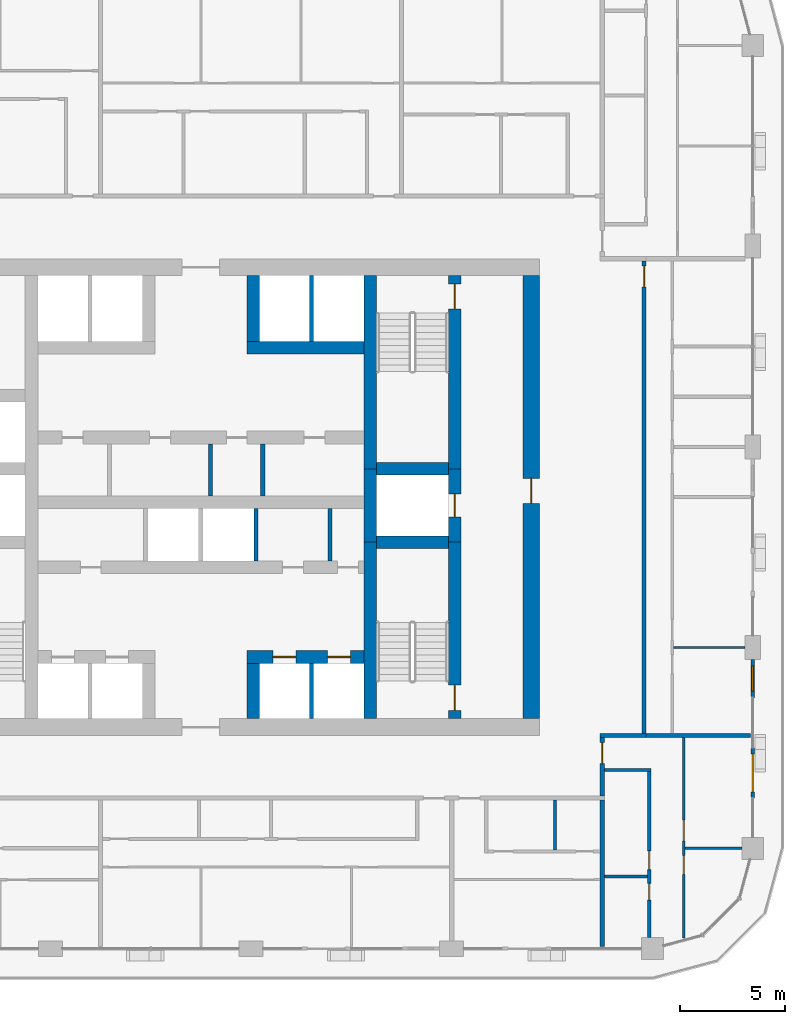
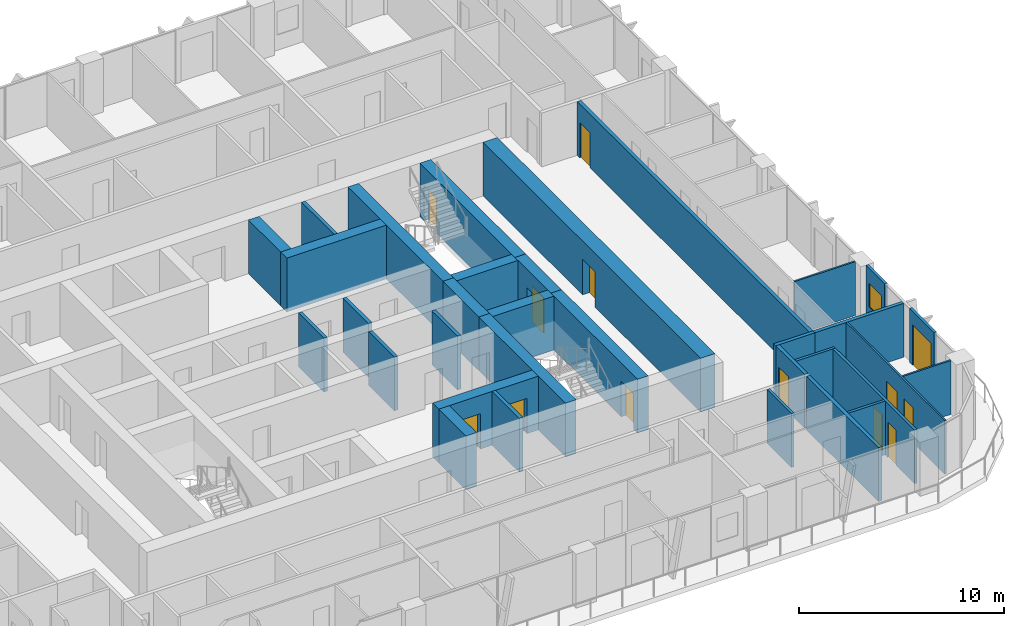
# One storey, part 12 of 22: 33 walls, 13 doors, 1 window, 14 openings.
"""IFC4 building model written with IfcOpenShell, lengths in metres."""

from ifc_helpers import new_model, si_unit, direction, frame, frame_2d, origin, place, context, subcontext, project, spatial, rectangle, extrude, material, layer, layer_set, type_object, element, fill, save


model = new_model("IFC4")

# Units and contexts
model_context = context("Model", 3, precision=1e-05, world=origin(), true_north=direction((0.0, 1.0)))
body_context = subcontext(model_context, "Body", "Model", "MODEL_VIEW")
ifc_project = project(units=[si_unit("LENGTHUNIT", "METRE"), si_unit("AREAUNIT", "SQUARE_METRE"), si_unit("VOLUMEUNIT", "CUBIC_METRE"), si_unit("PLANEANGLEUNIT", "RADIAN"), si_unit("MASSUNIT", "GRAM", prefix="KILO")], contexts=[model_context])

# Site, building, storey
site_placement = place(None, origin())
site = spatial("IfcSite", under=ifc_project, at=site_placement, CompositionType="ELEMENT")
building_placement = place(site_placement, origin())
building = spatial("IfcBuilding", under=site, at=building_placement, Name="Madar Terraces", CompositionType="ELEMENT")
storey_placement = place(building_placement, frame((0.0, 0.0, 126.10009765625)))
storey = spatial("IfcBuildingStorey", under=building, at=storey_placement, Name="L32", CompositionType="ELEMENT", Elevation=126.10009765625)

# Walls
ifc_material_1 = material(Name="Concrete C70/85", Category="concrete")
ifc_layer_1 = layer(ifc_material_1, 0.60009765625)
ifc_layer_set_1 = layer_set([ifc_layer_1], Name="Concrete C70/85 (CIW3 RC wall 600)")
wall_type_1 = type_object("IfcWallType", Name="CIW3 RC wall 600", PredefinedType="SHEAR", material=ifc_layer_set_1)
wall_1_placement = place(storey_placement, frame((39.300048828125, 15.800048828125, 0.0), z_axis=(0.0, 0.0, 1.0), x_axis=(0.0, 1.0, 0.0)))
element("IfcWall", 1, at=wall_1_placement, inside=storey, type_object=wall_type_1, Name="CORE SHAFT WALL", PredefinedType="SHEAR", context=body_context, shape_type="SweptSolid", body=[
    extrude(rectangle(XDim=8.449951171875, YDim=0.60009765625, at=frame_2d((4.22509765625, 0.0))), origin(), (0.0, 0.0, 1.0), 3.199951171875),
])
wall_2_placement = place(storey_placement, frame((39.300048828125, 24.25, 0.0), z_axis=(0.0, 0.0, 1.0), x_axis=(0.0, 1.0, 0.0)))
element("IfcWall", 2, at=wall_2_placement, inside=storey, type_object=wall_type_1, Name="CORE SHAFT WALL", PredefinedType="SHEAR", context=body_context, shape_type="SweptSolid", body=[
    extrude(rectangle(XDim=3.5, YDim=0.60009765625, at=frame_2d((1.75, 0.0))), origin(), (0.0, 0.0, 1.0), 3.199951171875),
])
wall_3_placement = place(storey_placement, frame((39.300048828125, 27.75, 0.0), z_axis=(0.0, 0.0, 1.0), x_axis=(0.0, 1.0, 0.0)))
element("IfcWall", 3, at=wall_3_placement, inside=storey, type_object=wall_type_1, Name="CORE SHAFT WALL", PredefinedType="SHEAR", context=body_context, shape_type="SweptSolid", body=[
    extrude(rectangle(XDim=9.25, YDim=0.60009765625, at=frame_2d((4.625, 0.0))), origin(), (0.0, 0.0, 1.0), 3.199951171875),
])

# Wall, opening, door
wall_4_placement = place(storey_placement, frame((43.35009765625, 15.800048828125, 0.0), z_axis=(0.0, 0.0, 1.0), x_axis=(0.0, 1.0, 0.0)))
wall_4 = element("IfcWall", 4, at=wall_4_placement, inside=storey, type_object=wall_type_1, Name="CORE SHAFT WALL", PredefinedType="SHEAR", context=body_context, shape_type="SweptSolid", body=[
    extrude(rectangle(XDim=8.449951171875, YDim=0.60009765625, at=frame_2d((4.22509765625, 0.0))), origin(), (0.0, 0.0, 1.0), 3.199951171875),
])
opening_1_placement = place(wall_4_placement, frame((0.39990234375, 0.0, 0.0)))
opening_1 = element("IfcOpeningElement", 5, at=opening_1_placement, cuts=wall_4, Name="Opening SD1", PredefinedType="OPENING", context=body_context, shape_type="SweptSolid", body=[
    extrude(rectangle(XDim=1.199951171875, YDim=2.10009765625, at=frame_2d((0.60009765625, 1.050048828125))), frame((0.0, 0.31005859375, 0.0), z_axis=(0.0, -1.0, 0.0), x_axis=(1.0, 0.0, 0.0)), (0.0, 0.0, 1.0), 0.6201171875),
])
ifc_material_2 = material(Name="Steel door leaf", Category="steel")
door_type_1 = type_object("IfcDoorType", Name="Stair door 1200 x 2100", OperationType="NOTDEFINED", PredefinedType="DOOR", material=ifc_material_2)
door_1_placement = place(opening_1_placement, origin())
door_1 = element("IfcDoor", 6, at=door_1_placement, inside=storey, type_object=door_type_1, Name="STAIR DOOR", OperationType="SINGLE_SWING_LEFT", OverallHeight=2.10009765625, OverallWidth=1.199951171875, PredefinedType="DOOR", context=body_context, shape_type="SweptSolid", body=[
    extrude(rectangle(XDim=1.199951171875, YDim=2.10009765625, at=frame_2d((0.60009765625, 1.050048828125))), frame((0.0, 0.02490234375, 0.0), z_axis=(0.0, -1.0, 0.0), x_axis=(1.0, 0.0, 0.0)), (0.0, 0.0, 1.0), 0.050048828125),
])
fill(opening_1, door_1)

wall_5_placement = place(storey_placement, frame((43.35009765625, 24.25, 0.0), z_axis=(0.0, 0.0, 1.0), x_axis=(0.0, 1.0, 0.0)))
wall_5 = element("IfcWall", 7, at=wall_5_placement, inside=storey, type_object=wall_type_1, Name="CORE SHAFT WALL", PredefinedType="SHEAR", context=body_context, shape_type="SweptSolid", body=[
    extrude(rectangle(XDim=3.5, YDim=0.60009765625, at=frame_2d((1.75, 0.0))), origin(), (0.0, 0.0, 1.0), 3.199951171875),
])
opening_2_placement = place(wall_5_placement, frame((1.199951171875, 0.0, 0.0)))
opening_2 = element("IfcOpeningElement", 8, at=opening_2_placement, cuts=wall_5, Name="Opening LD", PredefinedType="OPENING", context=body_context, shape_type="SweptSolid", body=[
    extrude(rectangle(XDim=1.10009765625, YDim=2.10009765625, at=frame_2d((0.550048828125, 1.050048828125))), frame((0.0, 0.31005859375, 0.0), z_axis=(0.0, -1.0, 0.0), x_axis=(1.0, 0.0, 0.0)), (0.0, 0.0, 1.0), 0.6201171875),
])
ifc_material_3 = material(Name="Stainless steel panel", Category="steel")
door_type_2 = type_object("IfcDoorType", Name="Lift landing door 1100 x 2100", OperationType="DOUBLE_DOOR_SLIDING", PredefinedType="DOOR", material=ifc_material_3)
door_2_placement = place(opening_2_placement, origin())
door_2 = element("IfcDoor", 9, at=door_2_placement, inside=storey, type_object=door_type_2, Name="LIFT LANDING DOOR", OperationType="DOUBLE_DOOR_SLIDING", OverallHeight=2.10009765625, OverallWidth=1.10009765625, PredefinedType="DOOR", context=body_context, shape_type="SweptSolid", body=[
    extrude(rectangle(XDim=1.10009765625, YDim=2.10009765625, at=frame_2d((0.550048828125, 1.050048828125))), frame((0.0, 0.02490234375, 0.0), z_axis=(0.0, -1.0, 0.0), x_axis=(1.0, 0.0, 0.0)), (0.0, 0.0, 1.0), 0.050048828125),
])
fill(opening_2, door_2)

wall_6_placement = place(storey_placement, frame((43.35009765625, 27.75, 0.0), z_axis=(0.0, 0.0, 1.0), x_axis=(0.0, 1.0, 0.0)))
wall_6 = element("IfcWall", 10, at=wall_6_placement, inside=storey, type_object=wall_type_1, Name="CORE SHAFT WALL", PredefinedType="SHEAR", context=body_context, shape_type="SweptSolid", body=[
    extrude(rectangle(XDim=9.25, YDim=0.60009765625, at=frame_2d((4.625, 0.0))), origin(), (0.0, 0.0, 1.0), 3.199951171875),
])
opening_3_placement = place(wall_6_placement, frame((7.64990234375, 0.0, 0.0)))
opening_3 = element("IfcOpeningElement", 11, at=opening_3_placement, cuts=wall_6, Name="Opening SD1", PredefinedType="OPENING", context=body_context, shape_type="SweptSolid", body=[
    extrude(rectangle(XDim=1.199951171875, YDim=2.10009765625, at=frame_2d((0.60009765625, 1.050048828125))), frame((0.0, 0.31005859375, 0.0), z_axis=(0.0, -1.0, 0.0), x_axis=(1.0, 0.0, 0.0)), (0.0, 0.0, 1.0), 0.6201171875),
])
door_3_placement = place(opening_3_placement, origin())
door_3 = element("IfcDoor", 12, at=door_3_placement, inside=storey, type_object=door_type_1, Name="STAIR DOOR", OperationType="SINGLE_SWING_RIGHT", OverallHeight=2.10009765625, OverallWidth=1.199951171875, PredefinedType="DOOR", context=body_context, shape_type="SweptSolid", body=[
    extrude(rectangle(XDim=1.199951171875, YDim=2.10009765625, at=frame_2d((0.60009765625, 1.050048828125))), frame((0.0, 0.02490234375, 0.0), z_axis=(0.0, -1.0, 0.0), x_axis=(1.0, 0.0, 0.0)), (0.0, 0.0, 1.0), 0.050048828125),
])
fill(opening_3, door_3)

# Walls
for number, where, z_axis, x_axis, name in (
    (13, (39.60009765625, 24.25, 0.0), (0.0, 0.0, 1.0), (1.0, 0.0, 0.0), "CORE SHAFT WALL"),
    (14, (39.60009765625, 27.75, 0.0), (0.0, 0.0, 1.0), (1.0, 0.0, 0.0), "CORE SHAFT WALL"),
):
    element("IfcWall", number, at=place(storey_placement, frame(where, z_axis=z_axis, x_axis=x_axis)), inside=storey, type_object=wall_type_1, Name=name, PredefinedType="SHEAR", context=body_context, shape_type="SweptSolid", body=[
        extrude(rectangle(XDim=3.449951171875, YDim=0.60009765625, at=frame_2d((1.72509765625, 0.0))), origin(), (0.0, 0.0, 1.0), 3.199951171875),
    ])

# Wall, openings, doors
wall_7_placement = place(storey_placement, frame((33.39990234375, 18.75, 0.0), z_axis=(0.0, 0.0, 1.0), x_axis=(1.0, 0.0, 0.0)))
wall_7 = element("IfcWall", 15, at=wall_7_placement, inside=storey, type_object=wall_type_1, Name="CORE SHAFT WALL", PredefinedType="SHEAR", context=body_context, shape_type="SweptSolid", body=[
    extrude(rectangle(XDim=5.60009765625, YDim=0.60009765625, at=frame_2d((2.800048828125, 0.0))), origin(), (0.0, 0.0, 1.0), 3.199951171875),
])
opening_4_placement = place(wall_7_placement, frame((1.25, 0.0, 0.0)))
opening_4 = element("IfcOpeningElement", 16, at=opening_4_placement, cuts=wall_7, Name="Opening LD", PredefinedType="OPENING", context=body_context, shape_type="SweptSolid", body=[
    extrude(rectangle(XDim=1.10009765625, YDim=2.10009765625, at=frame_2d((0.550048828125, 1.050048828125))), frame((0.0, 0.31005859375, 0.0), z_axis=(0.0, -1.0, 0.0), x_axis=(1.0, 0.0, 0.0)), (0.0, 0.0, 1.0), 0.6201171875),
])
opening_5_placement = place(wall_7_placement, frame((3.85009765625, 0.0, 0.0)))
opening_5 = element("IfcOpeningElement", 17, at=opening_5_placement, cuts=wall_7, Name="Opening LD", PredefinedType="OPENING", context=body_context, shape_type="SweptSolid", body=[
    extrude(rectangle(XDim=1.10009765625, YDim=2.10009765625, at=frame_2d((0.550048828125, 1.050048828125))), frame((0.0, 0.31005859375, 0.0), z_axis=(0.0, -1.0, 0.0), x_axis=(1.0, 0.0, 0.0)), (0.0, 0.0, 1.0), 0.6201171875),
])
door_4_placement = place(opening_4_placement, origin())
door_4 = element("IfcDoor", 18, at=door_4_placement, inside=storey, type_object=door_type_2, Name="LIFT LANDING DOOR", OperationType="DOUBLE_DOOR_SLIDING", OverallHeight=2.10009765625, OverallWidth=1.10009765625, PredefinedType="DOOR", context=body_context, shape_type="SweptSolid", body=[
    extrude(rectangle(XDim=1.10009765625, YDim=2.10009765625, at=frame_2d((0.550048828125, 1.050048828125))), frame((0.0, 0.02490234375, 0.0), z_axis=(0.0, -1.0, 0.0), x_axis=(1.0, 0.0, 0.0)), (0.0, 0.0, 1.0), 0.050048828125),
])
fill(opening_4, door_4)
door_5_placement = place(opening_5_placement, origin())
door_5 = element("IfcDoor", 19, at=door_5_placement, inside=storey, type_object=door_type_2, Name="LIFT LANDING DOOR", OperationType="DOUBLE_DOOR_SLIDING", OverallHeight=2.10009765625, OverallWidth=1.10009765625, PredefinedType="DOOR", context=body_context, shape_type="SweptSolid", body=[
    extrude(rectangle(XDim=1.10009765625, YDim=2.10009765625, at=frame_2d((0.550048828125, 1.050048828125))), frame((0.0, 0.02490234375, 0.0), z_axis=(0.0, -1.0, 0.0), x_axis=(1.0, 0.0, 0.0)), (0.0, 0.0, 1.0), 0.050048828125),
])
fill(opening_5, door_5)

# Walls
wall_8_placement = place(storey_placement, frame((33.39990234375, 33.550048828125, 0.0), z_axis=(0.0, 0.0, 1.0), x_axis=(1.0, 0.0, 0.0)))
element("IfcWall", 20, at=wall_8_placement, inside=storey, type_object=wall_type_1, Name="CORE SHAFT WALL", PredefinedType="SHEAR", context=body_context, shape_type="SweptSolid", body=[
    extrude(rectangle(XDim=5.60009765625, YDim=0.60009765625, at=frame_2d((2.800048828125, 0.0))), origin(), (0.0, 0.0, 1.0), 3.199951171875),
])
wall_9_placement = place(storey_placement, frame((33.699951171875, 15.800048828125, 0.0), z_axis=(0.0, 0.0, 1.0), x_axis=(0.0, 1.0, 0.0)))
element("IfcWall", 21, at=wall_9_placement, inside=storey, type_object=wall_type_1, Name="CORE SHAFT WALL", PredefinedType="SHEAR", context=body_context, shape_type="SweptSolid", body=[
    extrude(rectangle(XDim=2.64990234375, YDim=0.60009765625, at=frame_2d((1.324951171875, 0.0))), origin(), (0.0, 0.0, 1.0), 3.199951171875),
])
wall_10_placement = place(storey_placement, frame((33.699951171875, 33.85009765625, 0.0), z_axis=(0.0, 0.0, 1.0), x_axis=(0.0, 1.0, 0.0)))
element("IfcWall", 22, at=wall_10_placement, inside=storey, type_object=wall_type_1, Name="CORE SHAFT WALL", PredefinedType="SHEAR", context=body_context, shape_type="SweptSolid", body=[
    extrude(rectangle(XDim=3.14990234375, YDim=0.60009765625, at=frame_2d((1.574951171875, 0.0))), origin(), (0.0, 0.0, 1.0), 3.199951171875),
])

# Wall, opening, door
ifc_material_4 = material(Name="Concrete C70/85", Category="concrete")
ifc_layer_2 = layer(ifc_material_4, 0.800048828125)
ifc_layer_set_2 = layer_set([ifc_layer_2], Name="Concrete C70/85 (CRW3 RC wall 800)")
wall_type_2 = type_object("IfcWallType", Name="CRW3 RC wall 800", PredefinedType="SHEAR", material=ifc_layer_set_2)
wall_11_placement = place(storey_placement, frame((47.0, 15.800048828125, 0.0), z_axis=(0.0, 0.0, 1.0), x_axis=(0.0, 1.0, 0.0)))
wall_11 = element("IfcWall", 23, at=wall_11_placement, inside=storey, type_object=wall_type_2, Name="CORE OUTER WALL", PredefinedType="SHEAR", context=body_context, shape_type="SweptSolid", body=[
    extrude(rectangle(XDim=21.199951171875, YDim=0.800048828125, at=frame_2d((10.60009765625, 0.0))), origin(), (0.0, 0.0, 1.0), 3.199951171875),
])
opening_6_placement = place(wall_11_placement, frame((10.300048828125, 0.0, 0.0)))
opening_6 = element("IfcOpeningElement", 24, at=opening_6_placement, cuts=wall_11, Name="Opening SD1", PredefinedType="OPENING", context=body_context, shape_type="SweptSolid", body=[
    extrude(rectangle(XDim=1.199951171875, YDim=2.10009765625, at=frame_2d((0.60009765625, 1.050048828125))), frame((0.0, 0.409912109375, 0.0), z_axis=(0.0, -1.0, 0.0), x_axis=(1.0, 0.0, 0.0)), (0.0, 0.0, 1.0), 0.820068359375),
])
door_6_placement = place(opening_6_placement, origin())
door_6 = element("IfcDoor", 25, at=door_6_placement, inside=storey, type_object=door_type_1, Name="STAIR DOOR", OperationType="SINGLE_SWING_RIGHT", OverallHeight=2.10009765625, OverallWidth=1.199951171875, PredefinedType="DOOR", context=body_context, shape_type="SweptSolid", body=[
    extrude(rectangle(XDim=1.199951171875, YDim=2.10009765625, at=frame_2d((0.60009765625, 1.050048828125))), frame((0.0, 0.02490234375, 0.0), z_axis=(0.0, -1.0, 0.0), x_axis=(1.0, 0.0, 0.0)), (0.0, 0.0, 1.0), 0.050048828125),
])
fill(opening_6, door_6)

# Walls
ifc_material_5 = material(Name="Masonry blockwork", Category="masonry")
ifc_layer_3 = layer(ifc_material_5, 0.199951171875)
ifc_layer_set_3 = layer_set([ifc_layer_3], Name="Core partition 200 blockwork")
wall_type_3 = type_object("IfcWallType", Name="Core partition 200 blockwork", PredefinedType="PARTITIONING", material=ifc_layer_set_3)
for number, where, z_axis, x_axis, name in (
    (26, (37.378662109375, 23.35009765625, 0.0), (0.0, 0.0, 1.0), (0.0, 1.0, 0.0), "SERVICE ROOM PARTITION"),
    (27, (31.66796875, 26.449951171875, 0.0), (0.0, 0.0, 1.0), (0.0, 1.0, 0.0), "SERVICE ROOM PARTITION"),
    (28, (34.1640625, 26.449951171875, 0.0), (0.0, 0.0, 1.0), (0.0, 1.0, 0.0), "SERVICE ROOM PARTITION"),
):
    element("IfcWall", number, at=place(storey_placement, frame(where, z_axis=z_axis, x_axis=x_axis)), inside=storey, type_object=wall_type_3, Name=name, PredefinedType="PARTITIONING", context=body_context, shape_type="SweptSolid", body=[
        extrude(rectangle(XDim=2.5, YDim=0.199951171875, at=frame_2d((1.25, 0.0))), origin(), (0.0, 0.0, 1.0), 3.199951171875),
    ])
ifc_material_6 = material(Name="Concrete C40/50", Category="concrete")
ifc_layer_4 = layer(ifc_material_6, 0.199951171875)
ifc_layer_set_4 = layer_set([ifc_layer_4], Name="Core shaft dividing wall 200 C40/50")
wall_type_4 = type_object("IfcWallType", Name="Core shaft dividing wall 200 C40/50", PredefinedType="SOLIDWALL", material=ifc_layer_set_4)
wall_12_placement = place(storey_placement, frame((33.833251953125, 23.35009765625, 0.0), z_axis=(0.0, 0.0, 1.0), x_axis=(0.0, 1.0, 0.0)))
element("IfcWall", 29, at=wall_12_placement, inside=storey, type_object=wall_type_4, Name="SHAFT DIVIDING WALL", PredefinedType="SOLIDWALL", context=body_context, shape_type="SweptSolid", body=[
    extrude(rectangle(XDim=2.5, YDim=0.199951171875, at=frame_2d((1.25, 0.0))), origin(), (0.0, 0.0, 1.0), 3.199951171875),
])
wall_13_placement = place(storey_placement, frame((36.5, 15.800048828125, 0.0), z_axis=(0.0, 0.0, 1.0), x_axis=(0.0, 1.0, 0.0)))
element("IfcWall", 30, at=wall_13_placement, inside=storey, type_object=wall_type_4, Name="SHAFT DIVIDING WALL", PredefinedType="SOLIDWALL", context=body_context, shape_type="SweptSolid", body=[
    extrude(rectangle(XDim=2.64990234375, YDim=0.199951171875, at=frame_2d((1.324951171875, 0.0))), origin(), (0.0, 0.0, 1.0), 3.199951171875),
])
wall_14_placement = place(storey_placement, frame((36.5, 33.85009765625, 0.0), z_axis=(0.0, 0.0, 1.0), x_axis=(0.0, 1.0, 0.0)))
element("IfcWall", 31, at=wall_14_placement, inside=storey, type_object=wall_type_4, Name="SHAFT DIVIDING WALL", PredefinedType="SOLIDWALL", context=body_context, shape_type="SweptSolid", body=[
    extrude(rectangle(XDim=3.14990234375, YDim=0.199951171875, at=frame_2d((1.574951171875, 0.0))), origin(), (0.0, 0.0, 1.0), 3.199951171875),
])

# Wall, opening, door
ifc_material_7 = material(Name="Aluminium composite panel, black, over insulated backing", Category="aluminium")
ifc_layer_5 = layer(ifc_material_7, 0.14990234375)
ifc_layer_set_5 = layer_set([ifc_layer_5], Name="Facade bay panel 150")
wall_type_5 = type_object("IfcWallType", Name="Facade bay panel 150", PredefinedType="SOLIDWALL", material=ifc_layer_set_5)
wall_15_placement = place(storey_placement, frame((57.60009765625, 12.0, 0.0), z_axis=(0.0, 0.0, 1.0), x_axis=(0.0, 1.0, 0.0)))
wall_15 = element("IfcWall", 32, at=wall_15_placement, inside=storey, type_object=wall_type_5, Name="Facade bay panel", PredefinedType="SOLIDWALL", context=body_context, shape_type="SweptSolid", body=[
    extrude(rectangle(XDim=2.39990234375, YDim=0.14990234375, at=frame_2d((1.199951171875, 0.0))), origin(), (0.0, 0.0, 1.0), 3.199951171875),
])
opening_7_placement = place(wall_15_placement, frame((0.300048828125, 0.0, 0.0)))
opening_7 = element("IfcOpeningElement", 33, at=opening_7_placement, cuts=wall_15, Name="Opening ED1", PredefinedType="OPENING", context=body_context, shape_type="SweptSolid", body=[
    extrude(rectangle(XDim=1.800048828125, YDim=2.39990234375, at=frame_2d((0.89990234375, 1.199951171875))), frame((0.0, 0.0849609375, 0.0), z_axis=(0.0, -1.0, 0.0), x_axis=(1.0, 0.0, 0.0)), (0.0, 0.0, 1.0), 0.169921875),
])
ifc_material_8 = material(Name="Glass, clear, with black aluminium frame", Category="aluminium")
door_type_3 = type_object("IfcDoorType", Name="Balcony and terrace sliding door 1800 x 2400", OperationType="SLIDING_TO_LEFT", PredefinedType="DOOR", material=ifc_material_8)
door_7_placement = place(opening_7_placement, origin())
door_7 = element("IfcDoor", 34, at=door_7_placement, inside=storey, type_object=door_type_3, Name="Balcony door", OperationType="SLIDING_TO_LEFT", OverallHeight=2.39990234375, OverallWidth=1.800048828125, PredefinedType="DOOR", context=body_context, shape_type="SweptSolid", body=[
    extrude(rectangle(XDim=1.800048828125, YDim=2.39990234375, at=frame_2d((0.89990234375, 1.199951171875))), frame((0.0, 0.02490234375, 0.0), z_axis=(0.0, -1.0, 0.0), x_axis=(1.0, 0.0, 0.0)), (0.0, 0.0, 1.0), 0.050048828125),
])
fill(opening_7, door_7)

# Wall, opening, window
wall_16_placement = place(storey_placement, frame((57.60009765625, 16.800048828125, 0.0), z_axis=(0.0, 0.0, 1.0), x_axis=(0.0, 1.0, 0.0)))
wall_16 = element("IfcWall", 35, at=wall_16_placement, inside=storey, type_object=wall_type_5, Name="Facade bay panel", PredefinedType="SOLIDWALL", context=body_context, shape_type="SweptSolid", body=[
    extrude(rectangle(XDim=1.824951171875, YDim=0.14990234375, at=frame_2d((0.91259765625, 0.0))), origin(), (0.0, 0.0, 1.0), 3.199951171875),
])
opening_8_placement = place(wall_16_placement, frame((0.3125, 0.0, 0.89990234375)))
opening_8 = element("IfcOpeningElement", 36, at=opening_8_placement, cuts=wall_16, Name="Opening W1", PredefinedType="OPENING", context=body_context, shape_type="SweptSolid", body=[
    extrude(rectangle(XDim=1.199951171875, YDim=1.39990234375, at=frame_2d((0.60009765625, 0.699951171875))), frame((0.0, 0.0849609375, 0.0), z_axis=(0.0, -1.0, 0.0), x_axis=(1.0, 0.0, 0.0)), (0.0, 0.0, 1.0), 0.169921875),
])
ifc_material_9 = material(Name="Glass, clear, with black aluminium frame", Category="aluminium")
window_type = type_object("IfcWindowType", Name="Vent window 1200 x 1400", PartitioningType="SINGLE_PANEL", PredefinedType="WINDOW", material=ifc_material_9)
window_placement = place(opening_8_placement, origin())
window = element("IfcWindow", 37, at=window_placement, inside=storey, type_object=window_type, Name="Operable vent window", OverallHeight=1.39990234375, OverallWidth=1.199951171875, PartitioningType="SINGLE_PANEL", PredefinedType="WINDOW", context=body_context, shape_type="SweptSolid", body=[
    extrude(rectangle(XDim=1.199951171875, YDim=1.39990234375, at=frame_2d((0.60009765625, 0.699951171875))), frame((0.0, 0.030029296875, 0.0), z_axis=(0.0, -1.0, 0.0), x_axis=(1.0, 0.0, 0.0)), (0.0, 0.0, 1.0), 0.06005859375),
])
fill(opening_8, window)

# Wall
ifc_material_10 = material(Name="Gypsum board on steel studs", Category="steel")
ifc_layer_6 = layer(ifc_material_10, 0.10009765625)
ifc_layer_set_6 = layer_set([ifc_layer_6], Name="Flat partition 100")
wall_type_6 = type_object("IfcWallType", Name="Flat partition 100", PredefinedType="PARTITIONING", material=ifc_layer_set_6)
wall_17_placement = place(storey_placement, frame((54.35009765625, 9.60009765625, 0.0), z_axis=(0.0, 0.0, 1.0), x_axis=(1.0, 0.0, 0.0)))
element("IfcWall", 38, at=wall_17_placement, inside=storey, type_object=wall_type_6, Name="Flat partition 100", PredefinedType="PARTITIONING", context=body_context, shape_type="SweptSolid", body=[
    extrude(rectangle(XDim=2.724853515625, YDim=0.10009765625, at=frame_2d((1.3623046875, 0.0))), origin(), (0.0, 0.0, 1.0), 3.199951171875),
])

# Wall, openings, doors
wall_18_placement = place(storey_placement, frame((54.300048828125, 14.89990234375, 0.0), z_axis=(0.0, 0.0, 1.0), x_axis=(0.0, -1.0, 0.0)))
wall_18 = element("IfcWall", 39, at=wall_18_placement, inside=storey, type_object=wall_type_6, Name="Flat partition 100", PredefinedType="PARTITIONING", context=body_context, shape_type="SweptSolid", body=[
    extrude(rectangle(XDim=9.597900390625, YDim=0.10009765625, at=frame_2d((4.798828125, 0.0))), origin(), (0.0, 0.0, 1.0), 3.199951171875),
])
opening_9_placement = place(wall_18_placement, frame((3.949951171875, 0.0, 0.0)))
opening_9 = element("IfcOpeningElement", 40, at=opening_9_placement, cuts=wall_18, Name="Opening D3", PredefinedType="OPENING", context=body_context, shape_type="SweptSolid", body=[
    extrude(rectangle(XDim=1.0, YDim=2.10009765625, at=frame_2d((0.5, 1.050048828125))), frame((0.0, 0.06005859375, 0.0), z_axis=(0.0, -1.0, 0.0), x_axis=(1.0, 0.0, 0.0)), (0.0, 0.0, 1.0), 0.1201171875),
])
opening_10_placement = place(wall_18_placement, frame((5.64990234375, 0.0, 0.0)))
opening_10 = element("IfcOpeningElement", 41, at=opening_10_placement, cuts=wall_18, Name="Opening D2", PredefinedType="OPENING", context=body_context, shape_type="SweptSolid", body=[
    extrude(rectangle(XDim=0.89990234375, YDim=2.10009765625, at=frame_2d((0.449951171875, 1.050048828125))), frame((0.0, 0.06005859375, 0.0), z_axis=(0.0, -1.0, 0.0), x_axis=(1.0, 0.0, 0.0)), (0.0, 0.0, 1.0), 0.1201171875),
])
ifc_material_11 = material(Name="Timber door leaf", Category="wood")
door_type_4 = type_object("IfcDoorType", Name="Flat living room door 1000", OperationType="NOTDEFINED", PredefinedType="DOOR", material=ifc_material_11)
door_8_placement = place(opening_9_placement, origin())
door_8 = element("IfcDoor", 42, at=door_8_placement, inside=storey, type_object=door_type_4, Name="Flat living room door 1000", OperationType="SINGLE_SWING_RIGHT", OverallHeight=2.10009765625, OverallWidth=1.0, PredefinedType="DOOR", context=body_context, shape_type="SweptSolid", body=[
    extrude(rectangle(XDim=1.0, YDim=2.10009765625, at=frame_2d((0.5, 1.050048828125))), frame((0.0, 0.02490234375, 0.0), z_axis=(0.0, -1.0, 0.0), x_axis=(1.0, 0.0, 0.0)), (0.0, 0.0, 1.0), 0.050048828125),
])
fill(opening_9, door_8)
ifc_material_12 = material(Name="Timber door leaf", Category="wood")
door_type_5 = type_object("IfcDoorType", Name="Flat room door 900", OperationType="NOTDEFINED", PredefinedType="DOOR", material=ifc_material_12)
door_9_placement = place(opening_10_placement, origin())
door_9 = element("IfcDoor", 43, at=door_9_placement, inside=storey, type_object=door_type_5, Name="Flat room door 900", OperationType="SINGLE_SWING_LEFT", OverallHeight=2.10009765625, OverallWidth=0.89990234375, PredefinedType="DOOR", context=body_context, shape_type="SweptSolid", body=[
    extrude(rectangle(XDim=0.89990234375, YDim=2.10009765625, at=frame_2d((0.449951171875, 1.050048828125))), frame((0.0, 0.02490234375, 0.0), z_axis=(0.0, -1.0, 0.0), x_axis=(1.0, 0.0, 0.0)), (0.0, 0.0, 1.0), 0.050048828125),
])
fill(opening_10, door_9)

# Wall
wall_19_placement = place(storey_placement, frame((53.800048828125, 19.199951171875, 0.0), z_axis=(0.0, 0.0, 1.0), x_axis=(1.0, 0.0, 0.0)))
element("IfcWall", 44, at=wall_19_placement, inside=storey, type_object=wall_type_6, Name="Flat partition 100", PredefinedType="PARTITIONING", context=body_context, shape_type="SweptSolid", body=[
    extrude(rectangle(XDim=3.425048828125, YDim=0.10009765625, at=frame_2d((1.71240234375, 0.0))), origin(), (0.0, 0.0, 1.0), 3.199951171875),
])

# Wall, opening, door
ifc_material_13 = material(Name="Lightweight blockwork", Category="masonry")
ifc_layer_7 = layer(ifc_material_13, 0.199951171875)
ifc_layer_set_7 = layer_set([ifc_layer_7], Name="Flat party and entrance wall 200")
wall_type_7 = type_object("IfcWallType", Name="Flat party and entrance wall 200", PredefinedType="PARTITIONING", material=ifc_layer_set_7)
wall_20_placement = place(storey_placement, frame((50.39990234375, 14.89990234375, 0.0), z_axis=(0.0, 0.0, 1.0), x_axis=(0.0, -1.0, 0.0)))
wall_20 = element("IfcWall", 45, at=wall_20_placement, inside=storey, type_object=wall_type_7, Name="Flat party and entrance wall 200", PredefinedType="PARTITIONING", context=body_context, shape_type="SweptSolid", body=[
    extrude(rectangle(XDim=2.7998046875, YDim=0.199951171875, at=frame_2d((1.39990234375, 0.0))), origin(), (0.0, 0.0, 1.0), 3.199951171875),
])
opening_11_placement = place(wall_20_placement, frame((0.25, 0.0, 0.0)))
opening_11 = element("IfcOpeningElement", 46, at=opening_11_placement, cuts=wall_20, Name="Opening D1", PredefinedType="OPENING", context=body_context, shape_type="SweptSolid", body=[
    extrude(rectangle(XDim=1.0, YDim=2.10009765625, at=frame_2d((0.5, 1.050048828125))), frame((0.0, 0.10986328125, 0.0), z_axis=(0.0, -1.0, 0.0), x_axis=(1.0, 0.0, 0.0)), (0.0, 0.0, 1.0), 0.219970703125),
])
ifc_material_14 = material(Name="Timber fire door leaf", Category="wood")
door_type_6 = type_object("IfcDoorType", Name="Flat entrance door 1000 FD30S", OperationType="NOTDEFINED", PredefinedType="DOOR", material=ifc_material_14)
door_10_placement = place(opening_11_placement, origin())
door_10 = element("IfcDoor", 47, at=door_10_placement, inside=storey, type_object=door_type_6, Name="Flat entrance door 1000 FD30S", OperationType="SINGLE_SWING_LEFT", OverallHeight=2.10009765625, OverallWidth=1.0, PredefinedType="DOOR", context=body_context, shape_type="SweptSolid", body=[
    extrude(rectangle(XDim=1.0, YDim=2.10009765625, at=frame_2d((0.5, 1.050048828125))), frame((0.0, 0.02490234375, 0.0), z_axis=(0.0, -1.0, 0.0), x_axis=(1.0, 0.0, 0.0)), (0.0, 0.0, 1.0), 0.050048828125),
])
fill(opening_11, door_10)

# Wall
wall_21_placement = place(storey_placement, frame((50.300048828125, 15.0, 0.0), z_axis=(0.0, 0.0, 1.0), x_axis=(1.0, 0.0, 0.0)))
element("IfcWall", 48, at=wall_21_placement, inside=storey, type_object=wall_type_7, Name="Flat party and entrance wall 200", PredefinedType="PARTITIONING", context=body_context, shape_type="SweptSolid", body=[
    extrude(rectangle(XDim=2.199951171875, YDim=0.199951171875, at=frame_2d((1.10009765625, 0.0))), origin(), (0.0, 0.0, 1.0), 3.199951171875),
])

# Wall, opening, door
wall_22_placement = place(storey_placement, frame((52.39990234375, 37.699951171875, 0.0), z_axis=(0.0, 0.0, 1.0), x_axis=(0.0, -1.0, 0.0)))
wall_22 = element("IfcWall", 49, at=wall_22_placement, inside=storey, type_object=wall_type_7, Name="Flat party and entrance wall 200", PredefinedType="PARTITIONING", context=body_context, shape_type="SweptSolid", body=[
    extrude(rectangle(XDim=22.599853515625, YDim=0.199951171875, at=frame_2d((11.2998046875, 0.0))), origin(), (0.0, 0.0, 1.0), 3.199951171875),
])
opening_12_placement = place(wall_22_placement, frame((0.25, 0.0, 0.0)))
opening_12 = element("IfcOpeningElement", 50, at=opening_12_placement, cuts=wall_22, Name="Opening D1", PredefinedType="OPENING", context=body_context, shape_type="SweptSolid", body=[
    extrude(rectangle(XDim=1.0, YDim=2.10009765625, at=frame_2d((0.5, 1.050048828125))), frame((0.0, 0.10986328125, 0.0), z_axis=(0.0, -1.0, 0.0), x_axis=(1.0, 0.0, 0.0)), (0.0, 0.0, 1.0), 0.219970703125),
])
door_11_placement = place(opening_12_placement, origin())
door_11 = element("IfcDoor", 51, at=door_11_placement, inside=storey, type_object=door_type_6, Name="Flat entrance door 1000 FD30S", OperationType="SINGLE_SWING_LEFT", OverallHeight=2.10009765625, OverallWidth=1.0, PredefinedType="DOOR", context=body_context, shape_type="SweptSolid", body=[
    extrude(rectangle(XDim=1.0, YDim=2.10009765625, at=frame_2d((0.5, 1.050048828125))), frame((0.0, 0.02490234375, 0.0), z_axis=(0.0, -1.0, 0.0), x_axis=(1.0, 0.0, 0.0)), (0.0, 0.0, 1.0), 0.050048828125),
])
fill(opening_12, door_11)

# Walls
wall_23_placement = place(storey_placement, frame((50.39990234375, 11.89990234375, 0.0), z_axis=(0.0, 0.0, 1.0), x_axis=(0.0, -1.0, 0.0)))
element("IfcWall", 52, at=wall_23_placement, inside=storey, type_object=wall_type_7, Name="Flat party and entrance wall 200", PredefinedType="PARTITIONING", context=body_context, shape_type="SweptSolid", body=[
    extrude(rectangle(XDim=7.0, YDim=0.199951171875, at=frame_2d((3.5, 0.0))), origin(), (0.0, 0.0, 1.0), 3.199951171875),
])
wall_24_placement = place(storey_placement, frame((52.5, 15.0, 0.0), z_axis=(0.0, 0.0, 1.0), x_axis=(1.0, 0.0, 0.0)))
element("IfcWall", 53, at=wall_24_placement, inside=storey, type_object=wall_type_7, Name="Flat party and entrance wall 200", PredefinedType="PARTITIONING", context=body_context, shape_type="SweptSolid", body=[
    extrude(rectangle(XDim=5.0, YDim=0.199951171875, at=frame_2d((2.5, 0.0))), origin(), (0.0, 0.0, 1.0), 3.199951171875),
])
ifc_material_15 = material(Name="Lightweight blockwork", Category="masonry")
ifc_layer_8 = layer(ifc_material_15, 0.14990234375)
ifc_layer_set_8 = layer_set([ifc_layer_8], Name="Flat wet-room partition 150")
wall_type_8 = type_object("IfcWallType", Name="Flat wet-room partition 150", PredefinedType="PARTITIONING", material=ifc_layer_set_8)
wall_25_placement = place(storey_placement, frame((48.14990234375, 11.89990234375, 0.0), z_axis=(0.0, 0.0, 1.0), x_axis=(0.0, -1.0, 0.0)))
element("IfcWall", 54, at=wall_25_placement, inside=storey, type_object=wall_type_8, Name="Flat wet-room partition 150", PredefinedType="PARTITIONING", context=body_context, shape_type="SweptSolid", body=[
    extrude(rectangle(XDim=2.375, YDim=0.14990234375, at=frame_2d((1.1875, 0.0))), origin(), (0.0, 0.0, 1.0), 3.199951171875),
])
wall_26_placement = place(storey_placement, frame((50.5, 8.25, 0.0), z_axis=(0.0, 0.0, 1.0), x_axis=(1.0, 0.0, 0.0)))
element("IfcWall", 55, at=wall_26_placement, inside=storey, type_object=wall_type_8, Name="Flat wet-room partition 150", PredefinedType="PARTITIONING", context=body_context, shape_type="SweptSolid", body=[
    extrude(rectangle(XDim=2.074951171875, YDim=0.14990234375, at=frame_2d((1.03759765625, 0.0))), origin(), (0.0, 0.0, 1.0), 3.199951171875),
])
wall_27_placement = place(storey_placement, frame((50.5, 13.35009765625, 0.0), z_axis=(0.0, 0.0, 1.0), x_axis=(1.0, 0.0, 0.0)))
element("IfcWall", 56, at=wall_27_placement, inside=storey, type_object=wall_type_8, Name="Flat wet-room partition 150", PredefinedType="PARTITIONING", context=body_context, shape_type="SweptSolid", body=[
    extrude(rectangle(XDim=2.22509765625, YDim=0.14990234375, at=frame_2d((1.112548828125, 0.0))), origin(), (0.0, 0.0, 1.0), 3.199951171875),
])

# Wall, openings, doors
wall_28_placement = place(storey_placement, frame((52.64990234375, 5.324951171875, 0.0), z_axis=(0.0, 0.0, 1.0), x_axis=(0.0, 1.0, 0.0)))
wall_28 = element("IfcWall", 57, at=wall_28_placement, inside=storey, type_object=wall_type_8, Name="Flat wet-room partition 150", PredefinedType="PARTITIONING", context=body_context, shape_type="SweptSolid", body=[
    extrude(rectangle(XDim=7.949951171875, YDim=0.14990234375, at=frame_2d((3.97509765625, 0.0))), origin(), (0.0, 0.0, 1.0), 3.199951171875),
])
opening_13_placement = place(wall_28_placement, frame((3.25, 0.0, 0.0)))
opening_13 = element("IfcOpeningElement", 58, at=opening_13_placement, cuts=wall_28, Name="Opening D2", PredefinedType="OPENING", context=body_context, shape_type="SweptSolid", body=[
    extrude(rectangle(XDim=0.89990234375, YDim=2.10009765625, at=frame_2d((0.449951171875, 1.050048828125))), frame((0.0, 0.0849609375, 0.0), z_axis=(0.0, -1.0, 0.0), x_axis=(1.0, 0.0, 0.0)), (0.0, 0.0, 1.0), 0.169921875),
])
opening_14_placement = place(wall_28_placement, frame((1.800048828125, 0.0, 0.0)))
opening_14 = element("IfcOpeningElement", 59, at=opening_14_placement, cuts=wall_28, Name="Opening D4", PredefinedType="OPENING", context=body_context, shape_type="SweptSolid", body=[
    extrude(rectangle(XDim=0.800048828125, YDim=2.10009765625, at=frame_2d((0.39990234375, 1.050048828125))), frame((0.0, 0.0849609375, 0.0), z_axis=(0.0, -1.0, 0.0), x_axis=(1.0, 0.0, 0.0)), (0.0, 0.0, 1.0), 0.169921875),
])
ifc_material_16 = material(Name="Timber door leaf", Category="wood")
door_type_7 = type_object("IfcDoorType", Name="Flat bathroom door 800", OperationType="NOTDEFINED", PredefinedType="DOOR", material=ifc_material_16)
door_12_placement = place(opening_14_placement, origin())
door_12 = element("IfcDoor", 60, at=door_12_placement, inside=storey, type_object=door_type_7, Name="Flat bathroom door 800", OperationType="SINGLE_SWING_RIGHT", OverallHeight=2.10009765625, OverallWidth=0.800048828125, PredefinedType="DOOR", context=body_context, shape_type="SweptSolid", body=[
    extrude(rectangle(XDim=0.800048828125, YDim=2.10009765625, at=frame_2d((0.39990234375, 1.050048828125))), frame((0.0, 0.02490234375, 0.0), z_axis=(0.0, -1.0, 0.0), x_axis=(1.0, 0.0, 0.0)), (0.0, 0.0, 1.0), 0.050048828125),
])
fill(opening_14, door_12)
door_13_placement = place(opening_13_placement, origin())
door_13 = element("IfcDoor", 61, at=door_13_placement, inside=storey, type_object=door_type_5, Name="Flat room door 900", OperationType="SINGLE_SWING_LEFT", OverallHeight=2.10009765625, OverallWidth=0.89990234375, PredefinedType="DOOR", context=body_context, shape_type="SweptSolid", body=[
    extrude(rectangle(XDim=0.89990234375, YDim=2.10009765625, at=frame_2d((0.449951171875, 1.050048828125))), frame((0.0, 0.02490234375, 0.0), z_axis=(0.0, -1.0, 0.0), x_axis=(1.0, 0.0, 0.0)), (0.0, 0.0, 1.0), 0.050048828125),
])
fill(opening_13, door_13)

save(model, "model.ifc")
